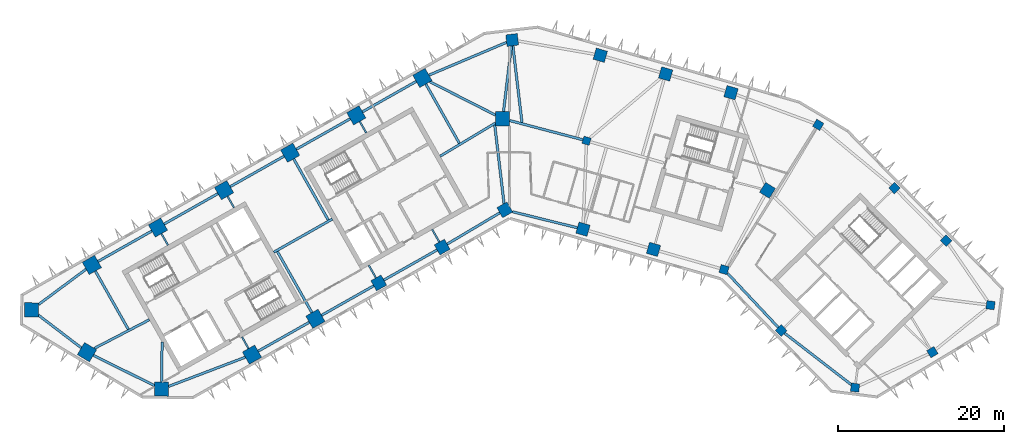
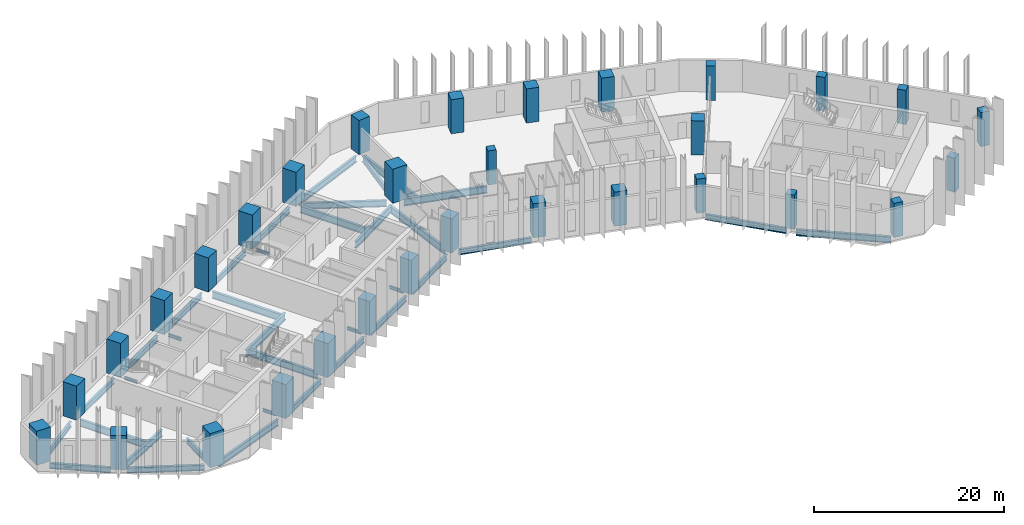
# One storey, part 1 of 11: 36 beams, 31 columns.
"""IFC4 building model written with IfcOpenShell, lengths in metres."""

import ifcopenshell
import ifcopenshell.guid

model = None  # the IFC model being written
_history = None  # IfcOwnerHistory: only IFC2X3 demands one
_inside = {}  # id of a spatial element -> (the spatial element, [elements in it])
_under = {}  # id of a project, library or spatial element -> (it, [spatial elements below it])
_declared = {}  # id of a project -> (the project, [libraries it declares])
_typed = {}  # id of a type object -> (the type object, [elements of that type])
_made_of = {}  # id of a material, layer set ... -> (it, [elements and type objects made of it])


def new_model(schema):
    """Start an empty IFC model of exactly this schema.

    Asked for "IFC4X3", IfcOpenShell would pick the latest addendum, in which some entities
    have other attributes; the version numbers below select the first issue.
    IFC2X3 requires an IfcOwnerHistory on every rooted entity: one is made here for all.
    """
    global model, _history
    if schema == "IFC4X3":
        model = ifcopenshell.file(schema_version=(4, 3, 0, 0))
    else:
        model = ifcopenshell.file(schema=schema)
    _inside.clear()
    _under.clear()
    _declared.clear()
    _typed.clear()
    _made_of.clear()
    _history = None
    if model.schema == "IFC2X3":
        org = make("IfcOrganization", Name="unknown")
        user = make(
            "IfcPersonAndOrganization",
            ThePerson=make("IfcPerson", FamilyName="unknown"),
            TheOrganization=org,
        )
        app = make(
            "IfcApplication",
            ApplicationDeveloper=org,
            Version="unknown",
            ApplicationFullName="unknown",
            ApplicationIdentifier="unknown",
        )
        _history = make(
            "IfcOwnerHistory",
            OwningUser=user,
            OwningApplication=app,
            ChangeAction="ADDED",
            CreationDate=0,
        )
    return model


def make(cls, **values):
    """One entity of the class cls with the attributes given. An attribute that is None is left unset."""
    return model.create_entity(
        cls, **{name: value for name, value in values.items() if value is not None}
    )


def rooted(cls, **values):
    """An entity with a GlobalId (a new one), such as an element, a storey or a relation."""
    return make(cls, GlobalId=ifcopenshell.guid.new(), OwnerHistory=_history, **values)


def si_unit(unit_type, name, prefix=None):
    """IfcSIUnit, for example si_unit("LENGTHUNIT", "METRE", prefix="MILLI")."""
    return make("IfcSIUnit", UnitType=unit_type, Prefix=prefix, Name=name)


def assignment(units):
    """IfcUnitAssignment: the units of a project."""
    return None if units is None else make("IfcUnitAssignment", Units=units)


def point(xyz):
    """IfcCartesianPoint."""
    return None if xyz is None else make("IfcCartesianPoint", Coordinates=xyz)


def direction(xyz):
    """IfcDirection."""
    return None if xyz is None else make("IfcDirection", DirectionRatios=xyz)


def frame(location, z_axis=None, x_axis=None):
    """IfcAxis2Placement3D, a coordinate frame: its origin and axes. An axis left out is left unset."""
    return make(
        "IfcAxis2Placement3D",
        Location=point(location),
        Axis=direction(z_axis),
        RefDirection=direction(x_axis),
    )


def frame_2d(location, x_axis=None):
    """IfcAxis2Placement2D, a coordinate frame in the plane: its origin and x axis."""
    return make(
        "IfcAxis2Placement2D", Location=point(location), RefDirection=direction(x_axis)
    )


def origin():
    """The frame at (0, 0, 0) with its axes left unset."""
    return frame((0.0, 0.0, 0.0))


def origin_2d():
    """The frame at (0, 0) in the plane with its x axis left unset."""
    return frame_2d((0.0, 0.0))


def place(relative_to, where):
    """IfcLocalPlacement: puts the frame where relative to a parent placement (None: the world)."""
    return make(
        "IfcLocalPlacement", PlacementRelTo=relative_to, RelativePlacement=where
    )


def context(
    kind, dimensions, precision=None, world=None, true_north=None, identifier=None
):
    """IfcGeometricRepresentationContext, for example the 3D "Model" context."""
    return make(
        "IfcGeometricRepresentationContext",
        ContextIdentifier=identifier,
        ContextType=kind,
        CoordinateSpaceDimension=dimensions,
        Precision=precision,
        WorldCoordinateSystem=world,
        TrueNorth=true_north,
    )


def subcontext(parent, identifier, kind, view, scale=None):
    """IfcGeometricRepresentationSubContext, for example "Body" below "Model"."""
    return make(
        "IfcGeometricRepresentationSubContext",
        ContextIdentifier=identifier,
        ContextType=kind,
        ParentContext=parent,
        TargetScale=scale,
        TargetView=view,
    )


def project(units=None, contexts=None):
    """IfcProject with its units and contexts."""
    return rooted(
        "IfcProject",
        Name="project",
        RepresentationContexts=contexts,
        UnitsInContext=assignment(units),
    )


def spatial(cls, under=None, at=None, **own):
    """A site, building, storey or space (cls), placed at a placement, below another one or the project."""
    s = rooted(cls, ObjectPlacement=at, **own)
    if under is not None:
        _under.setdefault(under.id(), (under, []))[1].append(s)
    return s


def profile(cls, at=None, kind="AREA", **sizes):
    """A parametric profile (cls). Its sizes go by their IFC names, for example OverallWidth=200.0."""
    return make(cls, ProfileType=kind, Position=at, **sizes)


def rectangle(**sizes):
    """IfcRectangleProfileDef."""
    return profile("IfcRectangleProfileDef", **sizes)


def i_section(**sizes):
    """IfcIShapeProfileDef."""
    return profile("IfcIShapeProfileDef", **sizes)


def extrude(swept, where, along, depth):
    """IfcExtrudedAreaSolid: the profile swept, set in the frame where, extruded along a direction by depth."""
    return make(
        "IfcExtrudedAreaSolid",
        SweptArea=swept,
        Position=where,
        ExtrudedDirection=direction(along),
        Depth=depth,
    )


def shape(context_of_items, identifier, shape_type, items):
    """IfcShapeRepresentation: the items that make up one representation, for example the "Body"."""
    return make(
        "IfcShapeRepresentation",
        ContextOfItems=context_of_items,
        RepresentationIdentifier=identifier,
        RepresentationType=shape_type,
        Items=items,
    )


def material(Name=None, Category=None):
    """IfcMaterial."""
    return make("IfcMaterial", Name=Name, Category=Category)


def material_profile(
    of_material, cross_section, Name=None, Category=None, Priority=None
):
    """IfcMaterialProfile: a cross section and its material."""
    return make(
        "IfcMaterialProfile",
        Name=Name,
        Material=of_material,
        Profile=cross_section,
        Priority=Priority,
        Category=Category,
    )


def profile_set(profiles, Name=None, composite=None):
    """IfcMaterialProfileSet."""
    return make(
        "IfcMaterialProfileSet",
        Name=Name,
        MaterialProfiles=profiles,
        CompositeProfile=composite,
    )


def made_of(thing, what):
    """Note that an element or type object is made of a material, layer set ...; save() writes the relation."""
    if what is not None:
        _made_of.setdefault(what.id(), (what, []))[1].append(thing)
    return thing


def type_object(cls, material=None, **own):
    """A type object (cls), such as IfcWallType, which elements share."""
    return made_of(rooted(cls, **own), material)


def element(
    cls,
    number,
    at=None,
    inside=None,
    cuts=None,
    type_object=None,
    material=None,
    context=None,
    identifier="Body",
    shape_type=None,
    held_by="IfcProductDefinitionShape",
    body=None,
    shapes=None,
    **own,
):
    """One element of the class cls, such as IfcWall. Its Tag is "e" and its number.

    at: its placement. inside: the storey or other place that contains it. cuts: it is an
    opening in that element (IfcRelVoidsElement). A single representation is given by context,
    identifier, shape_type and body (its items); several are given by shapes. held_by: the class
    of the entity that holds the representations. save() writes the other relations.
    """
    e = rooted(cls, Tag="e%d" % number, ObjectPlacement=at, **own)
    if body is not None:
        shapes = [shape(context, identifier, shape_type, body)]
    if shapes is not None:
        e.Representation = make(held_by, Representations=shapes)
    if inside is not None:
        _inside.setdefault(inside.id(), (inside, []))[1].append(e)
    if cuts is not None:
        rooted(
            "IfcRelVoidsElement", RelatingBuildingElement=cuts, RelatedOpeningElement=e
        )
    if type_object is not None:
        _typed.setdefault(type_object.id(), (type_object, []))[1].append(e)
    return made_of(e, material)


def aggregate(whole, parts):
    """IfcRelAggregates: a whole, such as a stair, and the parts it consists of."""
    return rooted("IfcRelAggregates", RelatingObject=whole, RelatedObjects=parts)


def save(model, path):
    """Write the relations noted so far, then the file.

    IfcRelAggregates (storeys below a building ...), IfcRelContainedInSpatialStructure (elements
    in a storey), IfcRelDefinesByType, IfcRelAssociatesMaterial and IfcRelDeclares: one each for
    every whole, place, type object, material and project.
    """
    for whole, parts in _under.values():
        aggregate(whole, parts)
    for where, things in _inside.values():
        rooted(
            "IfcRelContainedInSpatialStructure",
            RelatedElements=things,
            RelatingStructure=where,
        )
    for kind, things in _typed.values():
        rooted("IfcRelDefinesByType", RelatedObjects=things, RelatingType=kind)
    for what, things in _made_of.values():
        rooted("IfcRelAssociatesMaterial", RelatedObjects=things, RelatingMaterial=what)
    for by, libraries in _declared.values():
        rooted("IfcRelDeclares", RelatingContext=by, RelatedDefinitions=libraries)
    model.write(path)


model = new_model("IFC4")

# Units and contexts
model_context = context("Model", 3, precision=1e-05, world=origin(), true_north=direction((0.0, 1.0)))
body_context = subcontext(model_context, "Body", "Model", "MODEL_VIEW")
ifc_project = project(units=[si_unit("LENGTHUNIT", "METRE"), si_unit("AREAUNIT", "SQUARE_METRE"), si_unit("VOLUMEUNIT", "CUBIC_METRE"), si_unit("PLANEANGLEUNIT", "RADIAN"), si_unit("MASSUNIT", "GRAM", prefix="KILO")], contexts=[model_context])

# Site, building, storey
site_placement = place(None, origin())
site = spatial("IfcSite", under=ifc_project, at=site_placement, CompositionType="ELEMENT")
building_placement = place(site_placement, origin())
building = spatial("IfcBuilding", under=site, at=building_placement, Name="Binnacle Exchange Tower", CompositionType="ELEMENT")
storey_placement = place(building_placement, frame((0.0, 0.0, 132.300048828125)))
storey = spatial("IfcBuildingStorey", under=building, at=storey_placement, Name="L27", CompositionType="ELEMENT", Elevation=132.300048828125)

# Columns
ifc_material_1 = material(Name="Concrete C60/75", Category="concrete")
ifc_material_profile_1 = material_profile(ifc_material_1, rectangle(XDim=0.89990234375, YDim=0.89990234375, at=origin_2d()), Name="Column 900x900 C60/75")
ifc_profile_set_1 = profile_set([ifc_material_profile_1], Name="Concrete C60/75")
column_type_1 = type_object("IfcColumnType", Name="Column 900x900 C60/75", PredefinedType="COLUMN", material=ifc_profile_set_1)
column_placement = place(storey_placement, frame((9.240966796875, 57.35009765625, 0.0), z_axis=(0.0, 0.0, 1.0), x_axis=(0.961261695938, -0.275637355817, 0.0)))
element("IfcColumn", 1, at=column_placement, inside=storey, type_object=column_type_1, Name="S:COL:C19:L27", PredefinedType="COLUMN", context=body_context, shape_type="SweptSolid", body=[
    extrude(rectangle(XDim=0.89990234375, YDim=0.89990234375, at=origin_2d()), origin(), (0.0, 0.0, 1.0), 4.39990234375),
])
ifc_material_2 = material(Name="Concrete C70/85", Category="concrete")
ifc_material_profile_2 = material_profile(ifc_material_2, rectangle(XDim=1.0, YDim=1.0, at=origin_2d()), Name="Mega column 1000x1000 C70/85")
ifc_profile_set_2 = profile_set([ifc_material_profile_2], Name="Concrete C70/85")
column_type_2 = type_object("IfcColumnType", Name="Mega column 1000x1000 C70/85", PredefinedType="COLUMN", material=ifc_profile_set_2)
for number, where, z_axis, x_axis, name in (
    (2, (37.0849609375, 59.262451171875, 0.0), (0.0, 0.0, 1.0), (-0.859406411501, 0.511293086077, 0.0), "S:COL:MC57:L27"),
    (3, (25.766845703125, 41.85986328125, 0.0), (0.0, 0.0, 1.0), (0.961261695938, -0.275637355817, 0.0), "S:COL:MC56:L27"),
    (4, (32.64111328125, 34.530029296875, 0.0), (0.0, 0.0, 1.0), (0.7009092643, -0.713250449154, 0.0), "S:COL:MC59:L27"),
    (5, (41.519775390625, 27.6748046875, 0.0), (0.0, 0.0, 1.0), (0.99200494968, -0.126198969136, 0.0), "S:COL:MC61:L27"),
    (6, (50.81201171875, 31.930908203125, 0.0), (0.0, 0.0, 1.0), (0.857167300702, 0.51503807491, 0.0), "S:COL:MC63:L27"),
    (7, (57.799072265625, 37.5810546875, 0.0), (0.0, 0.0, 1.0), (0.126198969136, 0.99200494968, 0.0), "S:COL:MC62:L27"),
    (8, (52.466796875, 45.33935546875, 0.0), (0.0, 0.0, 1.0), (-0.7009092643, 0.713250449154, 0.0), "S:COL:MC60:L27"),
    (9, (46.248291015625, 51.667236328125, 0.0), (0.0, 0.0, 1.0), (-0.7009092643, 0.713250449154, 0.0), "S:COL:MC58:L27"),
):
    element("IfcColumn", number, at=place(storey_placement, frame(where, z_axis=z_axis, x_axis=x_axis)), inside=storey, type_object=column_type_2, Name=name, PredefinedType="COLUMN", context=body_context, shape_type="SweptSolid", body=[
        extrude(rectangle(XDim=1.0, YDim=1.0, at=origin_2d()), origin(), (0.0, 0.0, 1.0), 4.39990234375),
    ])
ifc_material_profile_3 = material_profile(ifc_material_2, rectangle(XDim=1.39990234375, YDim=1.39990234375, at=origin_2d()), Name="Mega column 1400x1400 C70/85")
ifc_profile_set_3 = profile_set([ifc_material_profile_3], Name="Concrete C70/85")
column_type_3 = type_object("IfcColumnType", Name="Mega column 1400x1400 C70/85", PredefinedType="COLUMN", material=ifc_profile_set_3)
for number, where, z_axis, x_axis, name in (
    (10, (26.602783203125, 63.12353515625, 0.0), (0.0, 0.0, 1.0), (-0.961261695938, 0.275637355817, 0.0), "S:COL:MC52:L27"),
    (11, (18.746337890625, 65.376220703125, 0.0), (0.0, 0.0, 1.0), (-0.961261695938, 0.275637355817, 0.0), "S:COL:MC50:L27"),
    (12, (10.889892578125, 67.62890625, 0.0), (0.0, 0.0, 1.0), (-0.961261695938, 0.275637355817, 0.0), "S:COL:MC48:L27"),
    (13, (0.300048828125, 69.464111328125, 0.0), (0.0, 0.0, 1.0), (-0.993068456955, -0.117537397458, 0.0), "S:COL:MC47:L27"),
    (14, (-15.736328125, 40.257080078125, 0.0), (0.0, 0.0, 1.0), (0.87035569594, 0.492423560103, 0.0), "S:COL:MC24:L27"),
    (15, (-8.116943359375, 44.568115234375, 0.0), (0.0, 0.0, 1.0), (0.87035569594, 0.492423560103, 0.0), "S:COL:MC35:L27"),
    (16, (-0.5908203125, 49.04443359375, 0.0), (0.0, 0.0, 1.0), (0.87035569594, 0.492423560103, 0.0), "S:COL:MC46:L27"),
    (17, (8.8095703125, 46.722412109375, 0.0), (0.0, 0.0, 1.0), (0.961261695938, -0.275637355817, 0.0), "S:COL:MC49:L27"),
    (18, (17.2880859375, 44.291015625, 0.0), (0.0, 0.0, 1.0), (0.961261695938, -0.275637355817, 0.0), "S:COL:MC51:L27"),
    (19, (30.989501953125, 51.38623046875, 0.0), (0.0, 0.0, 1.0), (0.529919264233, 0.848048096156, 0.0), "S:COL:MC55:L27"),
):
    element("IfcColumn", number, at=place(storey_placement, frame(where, z_axis=z_axis, x_axis=x_axis)), inside=storey, type_object=column_type_3, Name=name, PredefinedType="COLUMN", context=body_context, shape_type="SweptSolid", body=[
        extrude(rectangle(XDim=1.39990234375, YDim=1.39990234375, at=origin_2d()), origin(), (0.0, 0.0, 1.0), 4.39990234375),
    ])
ifc_material_profile_4 = material_profile(ifc_material_2, rectangle(XDim=1.699951171875, YDim=1.699951171875, at=origin_2d()), Name="Mega column 1700x1700 C70/85")
ifc_profile_set_4 = profile_set([ifc_material_profile_4], Name="Concrete C70/85")
column_type_4 = type_object("IfcColumnType", Name="Mega column 1700x1700 C70/85", PredefinedType="COLUMN", material=ifc_profile_set_4)
for number, where, z_axis, x_axis, name in (
    (20, (-10.4951171875, 64.901611328125, 0.0), (0.0, 0.0, 1.0), (-0.87035569594, -0.492423560103, 0.0), "S:COL:MC38:L27"),
    (21, (-18.44140625, 60.406005859375, 0.0), (0.0, 0.0, 1.0), (-0.87035569594, -0.492423560103, 0.0), "S:COL:MC29:L27"),
    (22, (-26.3876953125, 55.91015625, 0.0), (0.0, 0.0, 1.0), (-0.87035569594, -0.492423560103, 0.0), "S:COL:MC21:L27"),
    (23, (-34.333740234375, 51.414306640625, 0.0), (0.0, 0.0, 1.0), (-0.87035569594, -0.492423560103, 0.0), "S:COL:MC13:L27"),
    (24, (-42.280029296875, 46.918701171875, 0.0), (0.0, 0.0, 1.0), (-0.87035569594, -0.492423560103, 0.0), "S:COL:MC08:L27"),
    (25, (-50.226318359375, 42.4228515625, 0.0), (0.0, 0.0, 1.0), (-0.87035569594, -0.492423560103, 0.0), "S:COL:MC04:L27"),
    (26, (-57.492919921875, 37.02734375, 0.0), (0.0, 0.0, 1.0), (-0.013089595571, -0.999914327574, 0.0), "S:COL:MC02:L27"),
    (27, (-50.81201171875, 31.930908203125, 0.0), (0.0, 0.0, 1.0), (0.857167300702, -0.51503807491, 0.0), "S:COL:MC01:L27"),
    (28, (-41.857666015625, 27.494873046875, 0.0), (0.0, 0.0, 1.0), (0.999914327574, -0.013089595571, 0.0), "S:COL:MC03:L27"),
    (29, (-30.9755859375, 31.63525390625, 0.0), (0.0, 0.0, 1.0), (0.87035569594, 0.492423560103, 0.0), "S:COL:MC07:L27"),
    (30, (-23.35595703125, 35.9462890625, 0.0), (0.0, 0.0, 1.0), (0.87035569594, 0.492423560103, 0.0), "S:COL:MC16:L27"),
    (31, (-0.85009765625, 60.0, 0.0), (0.0, 0.0, 1.0), (0.0, 1.0, 0.0), "S:COL:MC45:L27"),
):
    element("IfcColumn", number, at=place(storey_placement, frame(where, z_axis=z_axis, x_axis=x_axis)), inside=storey, type_object=column_type_4, Name=name, PredefinedType="COLUMN", context=body_context, shape_type="SweptSolid", body=[
        extrude(rectangle(XDim=1.699951171875, YDim=1.699951171875, at=origin_2d()), origin(), (0.0, 0.0, 1.0), 4.39990234375),
    ])

# Beams
ifc_material_3 = material(Name="Steel S355 (SHN355)", Category="steel")
ifc_material_profile_5 = material_profile(ifc_material_3, i_section(OverallWidth=0.300048828125, OverallDepth=0.699951171875, WebThickness=0.012939453125, FlangeThickness=0.02392578125, FilletRadius=0.028076171875, at=origin_2d()), Name="H 700x300x13x24")
ifc_profile_set_5 = profile_set([ifc_material_profile_5], Name="Steel S355 (SHN355)")
beam_type_1 = type_object("IfcBeamType", Name="Edge girder H 700x300x13x24 Steel S355 (SHN355)", PredefinedType="SPANDREL", material=ifc_profile_set_5)
beam_1_placement = place(storey_placement, frame((-56.6513671875, 36.38525390625, -0.670166015625), z_axis=(0.795093040263, -0.606487474994, 0.0), x_axis=(0.606487474994, 0.795093040263, 0.0)))
element("IfcBeam", 32, at=beam_1_placement, inside=storey, type_object=beam_type_1, Name="S:BM:edge:L27:015", PredefinedType="SPANDREL", context=body_context, shape_type="SweptSolid", body=[
    extrude(i_section(OverallWidth=0.300048828125, OverallDepth=0.699951171875, WebThickness=0.012939453125, FlangeThickness=0.02392578125, FilletRadius=0.028076171875, at=origin_2d()), origin(), (0.0, 0.0, 1.0), 6.489013671875),
])
beam_2_placement = place(storey_placement, frame((-50.913818359375, 41.912353515625, -0.670166015625), z_axis=(-0.80288535334, -0.59613346609, 0.0), x_axis=(0.59613346609, -0.80288535334, 0.0)))
element("IfcBeam", 33, at=beam_2_placement, inside=storey, type_object=beam_type_1, Name="S:BM:edge:L27:016", PredefinedType="SPANDREL", context=body_context, shape_type="SweptSolid", body=[
    extrude(i_section(OverallWidth=0.300048828125, OverallDepth=0.699951171875, WebThickness=0.012939453125, FlangeThickness=0.02392578125, FilletRadius=0.028076171875, at=origin_2d()), origin(), (0.0, 0.0, 1.0), 7.125244140625),
])
beam_3_placement = place(storey_placement, frame((-43.019775390625, 46.5, -0.670166015625), z_axis=(-0.870364477798, -0.492408037898, 0.0), x_axis=(0.492408037898, -0.870364477798, 0.0)))
element("IfcBeam", 34, at=beam_3_placement, inside=storey, type_object=beam_type_1, Name="S:BM:edge:L27:018", PredefinedType="SPANDREL", context=body_context, shape_type="SweptSolid", body=[
    extrude(i_section(OverallWidth=0.300048828125, OverallDepth=0.699951171875, WebThickness=0.012939453125, FlangeThickness=0.02392578125, FilletRadius=0.028076171875, at=origin_2d()), origin(), (0.0, 0.0, 1.0), 7.4296875),
])
beam_4_placement = place(storey_placement, frame((-35.073486328125, 50.995849609375, -0.670166015625), z_axis=(-0.870372444894, -0.492393955253, 0.0), x_axis=(0.492393955253, -0.870372444894, 0.0)))
element("IfcBeam", 35, at=beam_4_placement, inside=storey, type_object=beam_type_1, Name="S:BM:edge:L27:020", PredefinedType="SPANDREL", context=body_context, shape_type="SweptSolid", body=[
    extrude(i_section(OverallWidth=0.300048828125, OverallDepth=0.699951171875, WebThickness=0.012939453125, FlangeThickness=0.02392578125, FilletRadius=0.028076171875, at=origin_2d()), origin(), (0.0, 0.0, 1.0), 7.429931640625),
])
beam_5_placement = place(storey_placement, frame((-30.23583984375, 32.053955078125, -0.670166015625), z_axis=(0.870373276953, 0.492392484473, 0.0), x_axis=(-0.492392484473, 0.870373276953, 0.0)))
element("IfcBeam", 36, at=beam_5_placement, inside=storey, type_object=beam_type_1, Name="S:BM:edge:L27:021", PredefinedType="SPANDREL", context=body_context, shape_type="SweptSolid", body=[
    extrude(i_section(OverallWidth=0.300048828125, OverallDepth=0.699951171875, WebThickness=0.012939453125, FlangeThickness=0.02392578125, FilletRadius=0.028076171875, at=origin_2d()), origin(), (0.0, 0.0, 1.0), 7.0546875),
])
beam_6_placement = place(storey_placement, frame((-27.12744140625, 55.49169921875, -0.670166015625), z_axis=(-0.870350394687, -0.492432929919, 0.0), x_axis=(0.492432929919, -0.870350394687, 0.0)))
element("IfcBeam", 37, at=beam_6_placement, inside=storey, type_object=beam_type_1, Name="S:BM:edge:L27:022", PredefinedType="SPANDREL", context=body_context, shape_type="SweptSolid", body=[
    extrude(i_section(OverallWidth=0.300048828125, OverallDepth=0.699951171875, WebThickness=0.012939453125, FlangeThickness=0.02392578125, FilletRadius=0.028076171875, at=origin_2d()), origin(), (0.0, 0.0, 1.0), 7.429931640625),
])
beam_7_placement = place(storey_placement, frame((-22.6162109375, 36.36474609375, -0.670166015625), z_axis=(0.870345646157, 0.492441322612, 0.0), x_axis=(-0.492441322612, 0.870345646157, 0.0)))
element("IfcBeam", 38, at=beam_7_placement, inside=storey, type_object=beam_type_1, Name="S:BM:edge:L27:023", PredefinedType="SPANDREL", context=body_context, shape_type="SweptSolid", body=[
    extrude(i_section(OverallWidth=0.300048828125, OverallDepth=0.699951171875, WebThickness=0.012939453125, FlangeThickness=0.02392578125, FilletRadius=0.028076171875, at=origin_2d()), origin(), (0.0, 0.0, 1.0), 7.20458984375),
])
beam_8_placement = place(storey_placement, frame((-19.18115234375, 59.9873046875, -0.670166015625), z_axis=(-0.870364477798, -0.492408037898, 0.0), x_axis=(0.492408037898, -0.870364477798, 0.0)))
element("IfcBeam", 39, at=beam_8_placement, inside=storey, type_object=beam_type_1, Name="S:BM:edge:L27:024", PredefinedType="SPANDREL", context=body_context, shape_type="SweptSolid", body=[
    extrude(i_section(OverallWidth=0.300048828125, OverallDepth=0.699951171875, WebThickness=0.012939453125, FlangeThickness=0.02392578125, FilletRadius=0.028076171875, at=origin_2d()), origin(), (0.0, 0.0, 1.0), 7.4296875),
])
beam_9_placement = place(storey_placement, frame((-15.127197265625, 40.601806640625, -0.670166015625), z_axis=(0.870355645737, 0.492423648837, 0.0), x_axis=(-0.492423648837, 0.870355645737, 0.0)))
element("IfcBeam", 40, at=beam_9_placement, inside=storey, type_object=beam_type_1, Name="S:BM:edge:L27:025", PredefinedType="SPANDREL", context=body_context, shape_type="SweptSolid", body=[
    extrude(i_section(OverallWidth=0.300048828125, OverallDepth=0.699951171875, WebThickness=0.012939453125, FlangeThickness=0.02392578125, FilletRadius=0.028076171875, at=origin_2d()), origin(), (0.0, 0.0, 1.0), 7.3544921875),
])
beam_10_placement = place(storey_placement, frame((-11.23486328125, 64.483154296875, -0.670166015625), z_axis=(-0.870364477798, -0.492408037898, 0.0), x_axis=(0.492408037898, -0.870364477798, 0.0)))
element("IfcBeam", 41, at=beam_10_placement, inside=storey, type_object=beam_type_1, Name="S:BM:edge:L27:026", PredefinedType="SPANDREL", context=body_context, shape_type="SweptSolid", body=[
    extrude(i_section(OverallWidth=0.300048828125, OverallDepth=0.699951171875, WebThickness=0.012939453125, FlangeThickness=0.02392578125, FilletRadius=0.028076171875, at=origin_2d()), origin(), (0.0, 0.0, 1.0), 7.4296875),
])
beam_11_placement = place(storey_placement, frame((-7.51513671875, 44.926025390625, -0.670166015625), z_axis=(0.859466137143, 0.511192682952, 0.0), x_axis=(-0.511192682952, 0.859466137143, 0.0)))
element("IfcBeam", 42, at=beam_11_placement, inside=storey, type_object=beam_type_1, Name="S:BM:edge:L27:027", PredefinedType="SPANDREL", context=body_context, shape_type="SweptSolid", body=[
    extrude(i_section(OverallWidth=0.300048828125, OverallDepth=0.699951171875, WebThickness=0.012939453125, FlangeThickness=0.02392578125, FilletRadius=0.028076171875, at=origin_2d()), origin(), (0.0, 0.0, 1.0), 7.356201171875),
])
beam_12_placement = place(storey_placement, frame((0.343994140625, 48.8134765625, -0.670166015625), z_axis=(0.970820959584, -0.239805472064, 0.0), x_axis=(0.239805472064, 0.970820959584, 0.0)))
element("IfcBeam", 43, at=beam_12_placement, inside=storey, type_object=beam_type_1, Name="S:BM:edge:L27:029", PredefinedType="SPANDREL", context=body_context, shape_type="SweptSolid", body=[
    extrude(i_section(OverallWidth=0.300048828125, OverallDepth=0.699951171875, WebThickness=0.012939453125, FlangeThickness=0.02392578125, FilletRadius=0.028076171875, at=origin_2d()), origin(), (0.0, 0.0, 1.0), 8.019287109375),
])
ifc_material_profile_6 = material_profile(ifc_material_3, i_section(OverallWidth=0.302001953125, OverallDepth=0.7080078125, WebThickness=0.014892578125, FlangeThickness=0.028076171875, FilletRadius=0.028076171875, at=origin_2d()), Name="H 708x302x15x28")
ifc_profile_set_6 = profile_set([ifc_material_profile_6], Name="Steel S355 (SHN355)")
beam_type_2 = type_object("IfcBeamType", Name="Edge girder H 708x302x15x28 Steel S355 (SHN355)", PredefinedType="SPANDREL", material=ifc_profile_set_6)
beam_13_placement = place(storey_placement, frame((-50.0478515625, 31.55224609375, -0.674072265625), z_axis=(0.896059216286, -0.443934545749, 0.0), x_axis=(0.443934545749, 0.896059216286, 0.0)))
element("IfcBeam", 44, at=beam_13_placement, inside=storey, type_object=beam_type_2, Name="S:BM:edge:L27:017", PredefinedType="SPANDREL", context=body_context, shape_type="SweptSolid", body=[
    extrude(i_section(OverallWidth=0.302001953125, OverallDepth=0.7080078125, WebThickness=0.014892578125, FlangeThickness=0.028076171875, FilletRadius=0.028076171875, at=origin_2d()), origin(), (0.0, 0.0, 1.0), 8.197509765625),
])
beam_14_placement = place(storey_placement, frame((26.165283203125, 41.43505859375, -0.674072265625), z_axis=(0.684076068391, -0.729410674898, 0.0), x_axis=(0.729410674898, 0.684076068391, 0.0)))
element("IfcBeam", 45, at=beam_14_placement, inside=storey, type_object=beam_type_2, Name="S:BM:edge:L27:035", PredefinedType="SPANDREL", context=body_context, shape_type="SweptSolid", body=[
    extrude(i_section(OverallWidth=0.302001953125, OverallDepth=0.7080078125, WebThickness=0.014892578125, FlangeThickness=0.028076171875, FilletRadius=0.028076171875, at=origin_2d()), origin(), (0.0, 0.0, 1.0), 8.966552734375),
])
ifc_material_profile_7 = material_profile(ifc_material_3, i_section(OverallWidth=0.302001953125, OverallDepth=0.80810546875, WebThickness=0.01611328125, FlangeThickness=0.030029296875, FilletRadius=0.028076171875, at=origin_2d()), Name="H 808x302x16x30")
ifc_profile_set_7 = profile_set([ifc_material_profile_7], Name="Steel S355 (SHN355)")
beam_type_3 = type_object("IfcBeamType", Name="Edge girder H 808x302x16x30 Steel S355 (SHN355)", PredefinedType="SPANDREL", material=ifc_profile_set_7)
beam_15_placement = place(storey_placement, frame((-41.00341796875, 27.81982421875, -0.72412109375), z_axis=(0.934628738252, 0.355624973297, 0.0), x_axis=(-0.355624973297, 0.934628738252, 0.0)))
element("IfcBeam", 46, at=beam_15_placement, inside=storey, type_object=beam_type_3, Name="S:BM:edge:L27:019", PredefinedType="SPANDREL", context=body_context, shape_type="SweptSolid", body=[
    extrude(i_section(OverallWidth=0.302001953125, OverallDepth=0.80810546875, WebThickness=0.01611328125, FlangeThickness=0.030029296875, FilletRadius=0.028076171875, at=origin_2d()), origin(), (0.0, 0.0, 1.0), 9.869384765625),
])
beam_16_placement = place(storey_placement, frame((-0.37109375, 69.180419921875, -0.72412109375), z_axis=(-0.921114465748, -0.389291845523, 0.0), x_axis=(0.389291845523, -0.921114465748, 0.0)))
element("IfcBeam", 47, at=beam_16_placement, inside=storey, type_object=beam_type_3, Name="S:BM:edge:L27:028", PredefinedType="SPANDREL", context=body_context, shape_type="SweptSolid", body=[
    extrude(i_section(OverallWidth=0.302001953125, OverallDepth=0.80810546875, WebThickness=0.01611328125, FlangeThickness=0.030029296875, FilletRadius=0.028076171875, at=origin_2d()), origin(), (0.0, 0.0, 1.0), 10.13525390625),
])
beam_17_placement = place(storey_placement, frame((33.040771484375, 34.2216796875, -0.72412109375), z_axis=(0.791519159984, -0.611144352324, 0.0), x_axis=(0.611144352324, 0.791519159984, 0.0)))
element("IfcBeam", 48, at=beam_17_placement, inside=storey, type_object=beam_type_3, Name="S:BM:edge:L27:036", PredefinedType="SPANDREL", context=body_context, shape_type="SweptSolid", body=[
    extrude(i_section(OverallWidth=0.302001953125, OverallDepth=0.80810546875, WebThickness=0.01611328125, FlangeThickness=0.030029296875, FilletRadius=0.028076171875, at=origin_2d()), origin(), (0.0, 0.0, 1.0), 10.13232421875),
])
ifc_material_profile_8 = material_profile(ifc_material_3, i_section(OverallWidth=0.199951171875, OverallDepth=0.39990234375, WebThickness=0.008056640625, FlangeThickness=0.012939453125, FilletRadius=0.01611328125, at=origin_2d()), Name="H 400x200x8x13")
ifc_profile_set_8 = profile_set([ifc_material_profile_8], Name="Steel S355 (SHN355)")
beam_type_4 = type_object("IfcBeamType", Name="Floor beam H 400x200x8x13 Steel S355 (SHN355)", PredefinedType="BEAM", material=ifc_profile_set_8)
beam_18_placement = place(storey_placement, frame((-41.861328125, 46.178955078125, -0.52001953125), z_axis=(0.492366981934, -0.870387703901, 0.0), x_axis=(0.870387703901, 0.492366981934, 0.0)))
element("IfcBeam", 49, at=beam_18_placement, inside=storey, type_object=beam_type_4, Name="S:BM:cross:L27:044", PredefinedType="BEAM", context=body_context, shape_type="SweptSolid", body=[
    extrude(i_section(OverallWidth=0.199951171875, OverallDepth=0.39990234375, WebThickness=0.008056640625, FlangeThickness=0.012939453125, FilletRadius=0.01611328125, at=origin_2d()), origin(), (0.0, 0.0, 1.0), 1.584228515625),
])
beam_19_placement = place(storey_placement, frame((-33.915283203125, 50.674560546875, -0.52001953125), z_axis=(0.492483715062, -0.870321659158, 0.0), x_axis=(0.870321659158, 0.492483715062, 0.0)))
element("IfcBeam", 50, at=beam_19_placement, inside=storey, type_object=beam_type_4, Name="S:BM:cross:L27:046", PredefinedType="BEAM", context=body_context, shape_type="SweptSolid", body=[
    extrude(i_section(OverallWidth=0.199951171875, OverallDepth=0.39990234375, WebThickness=0.008056640625, FlangeThickness=0.012939453125, FilletRadius=0.01611328125, at=origin_2d()), origin(), (0.0, 0.0, 1.0), 1.58447265625),
])
for number, where, z_axis, x_axis, name in (
    (51, (-31.394287109375, 32.375, -0.52001953125), (-0.492366981934, 0.870387703901, 0.0), (-0.870387703901, -0.492366981934, 0.0), "S:BM:cross:L27:047"),
    (52, (-18.022705078125, 59.666259765625, -0.52001953125), (0.492366981934, -0.870387703901, 0.0), (0.870387703901, 0.492366981934, 0.0), "S:BM:cross:L27:050"),
):
    element("IfcBeam", number, at=place(storey_placement, frame(where, z_axis=z_axis, x_axis=x_axis)), inside=storey, type_object=beam_type_4, Name=name, PredefinedType="BEAM", context=body_context, shape_type="SweptSolid", body=[
        extrude(i_section(OverallWidth=0.199951171875, OverallDepth=0.39990234375, WebThickness=0.008056640625, FlangeThickness=0.012939453125, FilletRadius=0.01611328125, at=origin_2d()), origin(), (0.0, 0.0, 1.0), 1.584228515625),
    ])
for number, where, z_axis, x_axis, name in (
    (53, (-16.0810546875, 40.866455078125, -0.52001953125), (-0.492405102951, 0.870366138236, 0.0), (-0.870366138236, -0.492405102951, 0.0), "S:BM:cross:L27:051"),
    (54, (-8.461669921875, 45.17724609375, -0.52001953125), (-0.492405102951, 0.870366138236, 0.0), (-0.870366138236, -0.492405102951, 0.0), "S:BM:cross:L27:053"),
):
    element("IfcBeam", number, at=place(storey_placement, frame(where, z_axis=z_axis, x_axis=x_axis)), inside=storey, type_object=beam_type_4, Name=name, PredefinedType="BEAM", context=body_context, shape_type="SweptSolid", body=[
        extrude(i_section(OverallWidth=0.199951171875, OverallDepth=0.39990234375, WebThickness=0.008056640625, FlangeThickness=0.012939453125, FilletRadius=0.01611328125, at=origin_2d()), origin(), (0.0, 0.0, 1.0), 1.734375),
    ])
ifc_material_profile_9 = material_profile(ifc_material_3, i_section(OverallWidth=0.300048828125, OverallDepth=0.699951171875, WebThickness=0.012939453125, FlangeThickness=0.02392578125, FilletRadius=0.028076171875, at=origin_2d()), Name="H 700x300x13x24")
ifc_profile_set_9 = profile_set([ifc_material_profile_9], Name="Steel S355 (SHN355)")
beam_type_5 = type_object("IfcBeamType", Name="Floor beam H 700x300x13x24 Steel S355 (SHN355)", PredefinedType="BEAM", material=ifc_profile_set_9)
beam_20_placement = place(storey_placement, frame((-41.8466796875, 28.3447265625, -0.670166015625), z_axis=(0.013120628196, 0.999913920853, 0.0), x_axis=(-0.999913920853, 0.013120628196, 0.0)))
element("IfcBeam", 55, at=beam_20_placement, inside=storey, type_object=beam_type_5, Name="S:BM:cross:L27:045", PredefinedType="BEAM", context=body_context, shape_type="SweptSolid", body=[
    extrude(i_section(OverallWidth=0.300048828125, OverallDepth=0.699951171875, WebThickness=0.012939453125, FlangeThickness=0.02392578125, FilletRadius=0.028076171875, at=origin_2d()), origin(), (0.0, 0.0, 1.0), 4.80078125),
])
ifc_material_profile_10 = material_profile(ifc_material_3, i_section(OverallWidth=0.300048828125, OverallDepth=0.89990234375, WebThickness=0.01611328125, FlangeThickness=0.028076171875, FilletRadius=0.028076171875, at=origin_2d()), Name="H 900x300x16x28")
ifc_profile_set_10 = profile_set([ifc_material_profile_10], Name="Steel S355 (SHN355)")
beam_type_6 = type_object("IfcBeamType", Name="Floor beam H 900x300x16x28 Steel S355 (SHN355)", PredefinedType="BEAM", material=ifc_profile_set_10)
beam_21_placement = place(storey_placement, frame((-49.8076171875, 41.68310546875, -0.77001953125), z_axis=(0.492423370769, -0.87035580306, 0.0), x_axis=(0.87035580306, 0.492423370769, 0.0)))
element("IfcBeam", 56, at=beam_21_placement, inside=storey, type_object=beam_type_6, Name="S:BM:cross:L27:043", PredefinedType="BEAM", context=body_context, shape_type="SweptSolid", body=[
    extrude(i_section(OverallWidth=0.300048828125, OverallDepth=0.89990234375, WebThickness=0.01611328125, FlangeThickness=0.028076171875, FilletRadius=0.028076171875, at=origin_2d()), origin(), (0.0, 0.0, 1.0), 8.041259765625),
])
beam_22_placement = place(storey_placement, frame((-10.076416015625, 64.161865234375, -0.77001953125), z_axis=(0.492410737926, -0.870362950254, 0.0), x_axis=(0.870362950254, 0.492410737926, 0.0)))
element("IfcBeam", 57, at=beam_22_placement, inside=storey, type_object=beam_type_6, Name="S:BM:cross:L27:052", PredefinedType="BEAM", context=body_context, shape_type="SweptSolid", body=[
    extrude(i_section(OverallWidth=0.300048828125, OverallDepth=0.89990234375, WebThickness=0.01611328125, FlangeThickness=0.028076171875, FilletRadius=0.028076171875, at=origin_2d()), origin(), (0.0, 0.0, 1.0), 8.16943359375),
])
ifc_material_profile_11 = material_profile(ifc_material_3, i_section(OverallWidth=0.302001953125, OverallDepth=0.912109375, WebThickness=0.01806640625, FlangeThickness=0.033935546875, FilletRadius=0.028076171875, at=origin_2d()), Name="H 912x302x18x34")
ifc_profile_set_11 = profile_set([ifc_material_profile_11], Name="Steel S355 (SHN355)")
beam_type_7 = type_object("IfcBeamType", Name="Floor beam H 912x302x18x34 Steel S355 (SHN355)", PredefinedType="BEAM", material=ifc_profile_set_11)
for number, where, z_axis, x_axis, name in (
    (58, (-25.968994140625, 55.17041015625, -0.776123046875), (0.492409177884, -0.870363832851, 0.0), (0.870363832851, 0.492409177884, 0.0), "S:BM:cross:L27:048"),
    (59, (-23.774658203125, 36.68603515625, -0.776123046875), (-0.492409177884, 0.870363832851, 0.0), (-0.870363832851, -0.492409177884, 0.0), "S:BM:cross:L27:049"),
):
    element("IfcBeam", number, at=place(storey_placement, frame(where, z_axis=z_axis, x_axis=x_axis)), inside=storey, type_object=beam_type_7, Name=name, PredefinedType="BEAM", context=body_context, shape_type="SweptSolid", body=[
        extrude(i_section(OverallWidth=0.302001953125, OverallDepth=0.912109375, WebThickness=0.01806640625, FlangeThickness=0.033935546875, FilletRadius=0.028076171875, at=origin_2d()), origin(), (0.0, 0.0, 1.0), 8.43408203125),
    ])
ifc_material_profile_12 = material_profile(ifc_material_3, i_section(OverallWidth=0.302978515625, OverallDepth=0.91796875, WebThickness=0.01904296875, FlangeThickness=0.037109375, FilletRadius=0.028076171875, at=origin_2d()), Name="H 918x303x19x37")
ifc_profile_set_12 = profile_set([ifc_material_profile_12], Name="Steel S355 (SHN355)")
beam_type_8 = type_object("IfcBeamType", Name="Floor beam H 918x303x19x37 Steel S355 (SHN355)", PredefinedType="BEAM", material=ifc_profile_set_12)
beam_23_placement = place(storey_placement, frame((-0.68017578125, 49.79833984375, -0.779052734375), z_axis=(-0.11752294526, 0.993070167379, 0.0), x_axis=(-0.993070167379, -0.11752294526, 0.0)))
element("IfcBeam", 60, at=beam_23_placement, inside=storey, type_object=beam_type_8, Name="S:BM:cross:L27:054", PredefinedType="BEAM", context=body_context, shape_type="SweptSolid", body=[
    extrude(i_section(OverallWidth=0.302978515625, OverallDepth=0.91796875, WebThickness=0.01904296875, FlangeThickness=0.037109375, FilletRadius=0.028076171875, at=origin_2d()), origin(), (0.0, 0.0, 1.0), 9.537353515625),
])
beam_24_placement = place(storey_placement, frame((0.38232421875, 68.76904296875, -0.779052734375), z_axis=(0.117557103339, -0.993066124412, 0.0), x_axis=(0.993066124412, 0.117557103339, 0.0)))
element("IfcBeam", 61, at=beam_24_placement, inside=storey, type_object=beam_type_8, Name="S:BM:cross:L27:055", PredefinedType="BEAM", context=body_context, shape_type="SweptSolid", body=[
    extrude(i_section(OverallWidth=0.302978515625, OverallDepth=0.91796875, WebThickness=0.01904296875, FlangeThickness=0.037109375, FilletRadius=0.028076171875, at=origin_2d()), origin(), (0.0, 0.0, 1.0), 9.2998046875),
])
ifc_material_profile_13 = material_profile(ifc_material_3, i_section(OverallWidth=0.302001953125, OverallDepth=0.7080078125, WebThickness=0.014892578125, FlangeThickness=0.028076171875, FilletRadius=0.028076171875, at=origin_2d()), Name="H 708x302x15x28")
ifc_profile_set_13 = profile_set([ifc_material_profile_13], Name="Steel S355 (SHN355)")
beam_type_9 = type_object("IfcBeamType", Name="Spine girder H 708x302x15x28 Steel S355 (SHN355)", PredefinedType="BEAM", material=ifc_profile_set_13)
beam_25_placement = place(storey_placement, frame((-0.74658203125, 60.85009765625, -0.674072265625), z_axis=(0.120612669289, 0.992699644408, 0.0), x_axis=(-0.992699644408, 0.120612669289, 0.0)))
element("IfcBeam", 62, at=beam_25_placement, inside=storey, type_object=beam_type_9, Name="S:BM:spine:L27:005", PredefinedType="BEAM", context=body_context, shape_type="SweptSolid", body=[
    extrude(i_section(OverallWidth=0.302001953125, OverallDepth=0.7080078125, WebThickness=0.014892578125, FlangeThickness=0.028076171875, FilletRadius=0.028076171875, at=origin_2d()), origin(), (0.0, 0.0, 1.0), 7.95703125),
])
ifc_material_profile_14 = material_profile(ifc_material_3, i_section(OverallWidth=0.302001953125, OverallDepth=0.80810546875, WebThickness=0.01611328125, FlangeThickness=0.030029296875, FilletRadius=0.028076171875, at=origin_2d()), Name="H 808x302x16x30")
ifc_profile_set_14 = profile_set([ifc_material_profile_14], Name="Steel S355 (SHN355)")
beam_type_10 = type_object("IfcBeamType", Name="Spine girder H 808x302x16x30 Steel S355 (SHN355)", PredefinedType="BEAM", material=ifc_profile_set_14)
beam_26_placement = place(storey_placement, frame((-1.699951171875, 60.431884765625, -0.72412109375), z_axis=(-0.891471296315, 0.45307717648, 0.0), x_axis=(-0.45307717648, -0.891471296315, 0.0)))
element("IfcBeam", 63, at=beam_26_placement, inside=storey, type_object=beam_type_10, Name="S:BM:spine:L27:004", PredefinedType="BEAM", context=body_context, shape_type="SweptSolid", body=[
    extrude(i_section(OverallWidth=0.302001953125, OverallDepth=0.80810546875, WebThickness=0.01611328125, FlangeThickness=0.030029296875, FilletRadius=0.028076171875, at=origin_2d()), origin(), (0.0, 0.0, 1.0), 8.845703125),
])
ifc_material_profile_15 = material_profile(ifc_material_3, i_section(OverallWidth=0.300048828125, OverallDepth=0.89990234375, WebThickness=0.01611328125, FlangeThickness=0.028076171875, FilletRadius=0.028076171875, at=origin_2d()), Name="H 900x300x16x28")
ifc_profile_set_15 = profile_set([ifc_material_profile_15], Name="Steel S355 (SHN355)")
beam_type_11 = type_object("IfcBeamType", Name="Spine girder H 900x300x16x28 Steel S355 (SHN355)", PredefinedType="BEAM", material=ifc_profile_set_15)
beam_27_placement = place(storey_placement, frame((-49.927734375, 32.391357421875, -0.77001953125), z_axis=(0.886979965344, 0.461807904954, 0.0), x_axis=(-0.461807904954, 0.886979965344, 0.0)))
element("IfcBeam", 64, at=beam_27_placement, inside=storey, type_object=beam_type_11, Name="S:BM:spine:L27:001", PredefinedType="BEAM", context=body_context, shape_type="SweptSolid", body=[
    extrude(i_section(OverallWidth=0.300048828125, OverallDepth=0.89990234375, WebThickness=0.01611328125, FlangeThickness=0.028076171875, FilletRadius=0.028076171875, at=origin_2d()), origin(), (0.0, 0.0, 1.0), 7.463623046875),
])
beam_28_placement = place(storey_placement, frame((-8.36328125, 55.489990234375, -0.77001953125), z_axis=(0.857393122678, 0.514662057261, 0.0), x_axis=(-0.514662057261, 0.857393122678, 0.0)))
element("IfcBeam", 65, at=beam_28_placement, inside=storey, type_object=beam_type_11, Name="S:BM:spine:L27:003", PredefinedType="BEAM", context=body_context, shape_type="SweptSolid", body=[
    extrude(i_section(OverallWidth=0.300048828125, OverallDepth=0.89990234375, WebThickness=0.01611328125, FlangeThickness=0.028076171875, FilletRadius=0.028076171875, at=origin_2d()), origin(), (0.0, 0.0, 1.0), 7.771728515625),
])
ifc_material_profile_16 = material_profile(ifc_material_3, i_section(OverallWidth=0.302001953125, OverallDepth=0.912109375, WebThickness=0.01806640625, FlangeThickness=0.033935546875, FilletRadius=0.028076171875, at=origin_2d()), Name="H 912x302x18x34")
ifc_profile_set_16 = profile_set([ifc_material_profile_16], Name="Steel S355 (SHN355)")
beam_type_12 = type_object("IfcBeamType", Name="Spine girder H 912x302x18x34 Steel S355 (SHN355)", PredefinedType="BEAM", material=ifc_profile_set_16)
beam_29_placement = place(storey_placement, frame((-28.365478515625, 43.951416015625, -0.776123046875), z_axis=(0.870350319004, 0.492433063684, 0.0), x_axis=(-0.492433063684, 0.870350319004, 0.0)))
element("IfcBeam", 66, at=beam_29_placement, inside=storey, type_object=beam_type_12, Name="S:BM:spine:L27:002", PredefinedType="BEAM", context=body_context, shape_type="SweptSolid", body=[
    extrude(i_section(OverallWidth=0.302001953125, OverallDepth=0.912109375, WebThickness=0.01806640625, FlangeThickness=0.033935546875, FilletRadius=0.028076171875, at=origin_2d()), origin(), (0.0, 0.0, 1.0), 8.0908203125),
])
ifc_material_profile_17 = material_profile(ifc_material_3, i_section(OverallWidth=0.302978515625, OverallDepth=0.91796875, WebThickness=0.01904296875, FlangeThickness=0.037109375, FilletRadius=0.028076171875, at=origin_2d()), Name="H 918x303x19x37")
ifc_profile_set_17 = profile_set([ifc_material_profile_17], Name="Steel S355 (SHN355)")
beam_type_13 = type_object("IfcBeamType", Name="Spine girder H 918x303x19x37 Steel S355 (SHN355)", PredefinedType="BEAM", material=ifc_profile_set_17)
beam_30_placement = place(storey_placement, frame((0.0, 59.77685546875, -0.779052734375), z_axis=(0.967208488002, -0.253983741089, 0.0), x_axis=(0.253983741089, 0.967208488002, 0.0)))
element("IfcBeam", 67, at=beam_30_placement, inside=storey, type_object=beam_type_13, Name="S:BM:spine:L27:006", PredefinedType="BEAM", context=body_context, shape_type="SweptSolid", body=[
    extrude(i_section(OverallWidth=0.302978515625, OverallDepth=0.91796875, WebThickness=0.01904296875, FlangeThickness=0.037109375, FilletRadius=0.028076171875, at=origin_2d()), origin(), (0.0, 0.0, 1.0), 9.10400390625),
])

save(model, "model.ifc")
